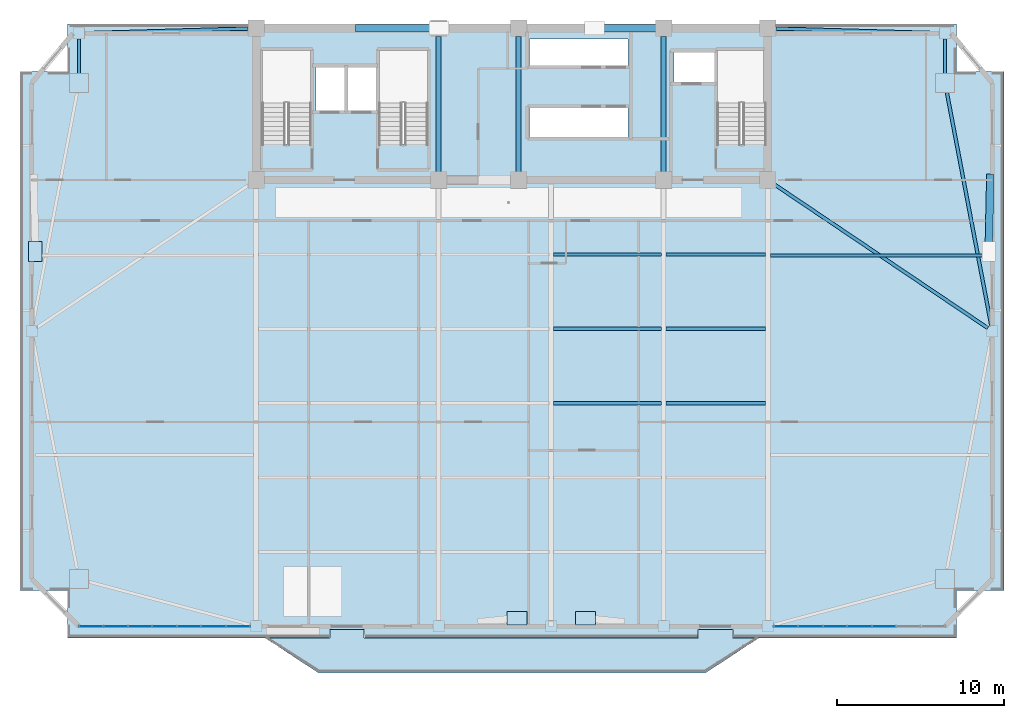
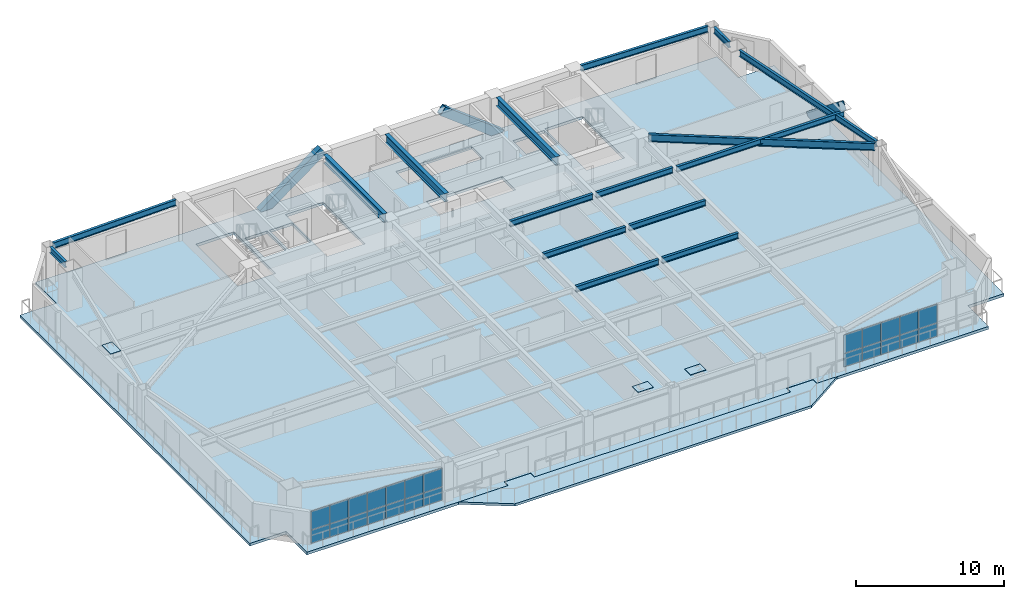
# One storey, part 7 of 17: 27 plates, 16 beams, 3 members, 2 slabs, 2 elements without a shape of their own.
"""IFC4 building model written with IfcOpenShell, lengths in metres."""

from ifc_helpers import new_model, si_unit, direction, frame, origin, origin_2d, place, context, subcontext, project, spatial, polyline, rectangle, hollow_rectangle, i_section, outline, extrude, source, transform, mapped, material, layer, layer_set, material_profile, profile_set, type_object, element, aggregate, save


model = new_model("IFC4")

# Units and contexts
model_context = context("Model", 3, precision=1e-05, world=origin(), true_north=direction((0.0, 1.0)))
body_context = subcontext(model_context, "Body", "Model", "MODEL_VIEW")
ifc_project = project(units=[si_unit("LENGTHUNIT", "METRE"), si_unit("AREAUNIT", "SQUARE_METRE"), si_unit("VOLUMEUNIT", "CUBIC_METRE"), si_unit("PLANEANGLEUNIT", "RADIAN"), si_unit("MASSUNIT", "GRAM", prefix="KILO")], contexts=[model_context])

# Site, building, storey
site_placement = place(None, origin())
site = spatial("IfcSite", under=ifc_project, at=site_placement, CompositionType="ELEMENT")
building_placement = place(site_placement, origin())
building = spatial("IfcBuilding", under=site, at=building_placement, Name="Giltprow Tower", CompositionType="ELEMENT")
storey_placement = place(building_placement, frame((0.0, 0.0, 195.699951171875)))
storey = spatial("IfcBuildingStorey", under=building, at=storey_placement, Name="L49", CompositionType="ELEMENT", Elevation=195.699951171875)

# Beams
ifc_material_1 = material(Name="Structural steel Q355B", Category="steel")
ifc_material_profile_1 = material_profile(ifc_material_1, i_section(OverallWidth=0.199951171875, OverallDepth=0.449951171875, WebThickness=0.009033203125, FlangeThickness=0.013916015625, at=origin_2d()), Name="HN 450x200x9x14")
ifc_profile_set_1 = profile_set([ifc_material_profile_1], Name="Structural steel Q355B")
beam_type_1 = type_object("IfcBeamType", Name="BM-JOIST-HN450", PredefinedType="JOIST", material=ifc_profile_set_1)
shared_shape_1 = source(origin(), body_context, "Body", "SweptSolid", [
    extrude(i_section(OverallWidth=0.199951171875, OverallDepth=0.449951171875, WebThickness=0.009033203125, FlangeThickness=0.013916015625, at=origin_2d()), origin(), (0.0, 0.0, 1.0), 6.4599609375),
])
for number, where, z_axis, x_axis, name in (
    (1, (37.695068359375, 24.06494140625, 3.045166015625), (1.0, 0.0, 0.0), (0.0, 1.0, 0.0), "L49 Composite Floor Joist 3-3"),
    (2, (37.695068359375, 28.527099609375, 3.045166015625), (1.0, 0.0, 0.0), (0.0, 1.0, 0.0), "L49 Composite Floor Joist 4-3"),
    (3, (37.695068359375, 32.988037109375, 3.045166015625), (1.0, 0.0, 0.0), (0.0, 1.0, 0.0), "L49 Composite Floor Joist 5-3"),
):
    element("IfcBeam", number, at=place(storey_placement, frame(where, z_axis=z_axis, x_axis=x_axis)), inside=storey, type_object=beam_type_1, Name=name, PredefinedType="JOIST", context=body_context, shape_type="MappedRepresentation", body=[
        mapped(shared_shape_1, transform((0.0, 0.0, 0.0), x_axis=(1.0, 0.0, 0.0), y_axis=(0.0, 1.0, 0.0), z_axis=(0.0, 0.0, 1.0), scale=1.0)),
    ])
shared_shape_2 = source(origin(), body_context, "Body", "SweptSolid", [
    extrude(i_section(OverallWidth=0.199951171875, OverallDepth=0.449951171875, WebThickness=0.009033203125, FlangeThickness=0.013916015625, at=origin_2d()), origin(), (0.0, 0.0, 1.0), 5.9599609375),
])
for number, where, z_axis, x_axis, name in (
    (4, (44.445068359375, 24.06494140625, 3.045166015625), (1.0, 0.0, 0.0), (0.0, 1.0, 0.0), "L49 Composite Floor Joist 3-4"),
    (5, (44.445068359375, 28.527099609375, 3.045166015625), (1.0, 0.0, 0.0), (0.0, 1.0, 0.0), "L49 Composite Floor Joist 4-4"),
    (6, (44.445068359375, 32.988037109375, 3.045166015625), (1.0, 0.0, 0.0), (0.0, 1.0, 0.0), "L49 Composite Floor Joist 5-4"),
):
    element("IfcBeam", number, at=place(storey_placement, frame(where, z_axis=z_axis, x_axis=x_axis)), inside=storey, type_object=beam_type_1, Name=name, PredefinedType="JOIST", context=body_context, shape_type="MappedRepresentation", body=[
        mapped(shared_shape_2, transform((0.0, 0.0, 0.0), x_axis=(1.0, 0.0, 0.0), y_axis=(0.0, 1.0, 0.0), z_axis=(0.0, 0.0, 1.0), scale=1.0)),
    ])
ifc_material_profile_2 = material_profile(ifc_material_1, i_section(OverallWidth=0.300048828125, OverallDepth=0.699951171875, WebThickness=0.012939453125, FlangeThickness=0.02392578125, at=origin_2d()), Name="HN 700x300x13x24")
ifc_profile_set_2 = profile_set([ifc_material_profile_2], Name="Structural steel Q355B")
beam_type_2 = type_object("IfcBeamType", Name="BM-GIRD-HN700", PredefinedType="BEAM", material=ifc_profile_set_2)
shared_shape_3 = source(origin(), body_context, "Body", "SweptSolid", [
    extrude(i_section(OverallWidth=0.300048828125, OverallDepth=0.699951171875, WebThickness=0.012939453125, FlangeThickness=0.02392578125, at=origin_2d()), origin(), (0.0, 0.0, 1.0), 8.1298828125),
])
for number, where, z_axis, x_axis, name in (
    (7, (30.800048828125, 37.93505859375, 2.920166015625), (0.0, 1.0, 0.0), (-1.0, 0.0, 0.0), "L49 Core Tie Girder M1"),
    (8, (35.60009765625, 37.93505859375, 2.920166015625), (0.0, 1.0, 0.0), (-1.0, 0.0, 0.0), "L49 Core Tie Girder M2"),
    (9, (44.300048828125, 37.93505859375, 2.920166015625), (0.0, 1.0, 0.0), (-1.0, 0.0, 0.0), "L49 Core Tie Girder M3"),
):
    element("IfcBeam", number, at=place(storey_placement, frame(where, z_axis=z_axis, x_axis=x_axis)), inside=storey, type_object=beam_type_2, Name=name, PredefinedType="BEAM", context=body_context, shape_type="MappedRepresentation", body=[
        mapped(shared_shape_3, transform((0.0, 0.0, 0.0), x_axis=(1.0, 0.0, 0.0), y_axis=(0.0, 1.0, 0.0), z_axis=(0.0, 0.0, 1.0), scale=1.0)),
    ])
ifc_material_profile_3 = material_profile(ifc_material_1, i_section(OverallWidth=0.199951171875, OverallDepth=0.5, WebThickness=0.010009765625, FlangeThickness=0.01611328125, at=origin_2d()), Name="HN 500x200x10x16")
ifc_profile_set_3 = profile_set([ifc_material_profile_3], Name="Structural steel Q355B")
beam_type_3 = type_object("IfcBeamType", Name="BM-SPAN-HN500", PredefinedType="SPANDREL", material=ifc_profile_set_3)
shared_shape_4 = source(origin(), body_context, "Body", "SweptSolid", [
    extrude(i_section(OverallWidth=0.199951171875, OverallDepth=0.5, WebThickness=0.010009765625, FlangeThickness=0.01611328125, at=origin_2d()), origin(), (0.0, 0.0, 1.0), 14.22216796875),
])
beam_1_placement = place(storey_placement, frame((63.948974609375, 28.718994140625, 3.02001953125), z_axis=(-0.187161802897, 0.982329099404, 0.0), x_axis=(-0.982329099404, -0.187161802897, 0.0)))
element("IfcBeam", 10, at=beam_1_placement, inside=storey, type_object=beam_type_3, Name="L49 Perimeter Spandrel Beam E_MID-MC_NE", PredefinedType="SPANDREL", context=body_context, shape_type="MappedRepresentation", body=[
    mapped(shared_shape_4, transform((0.0, 0.0, 0.0), x_axis=(1.0, 0.0, 0.0), y_axis=(0.0, 1.0, 0.0), z_axis=(0.0, 0.0, 1.0), scale=1.0)),
])
shared_shape_5 = source(origin(), body_context, "Body", "SweptSolid", [
    extrude(i_section(OverallWidth=0.199951171875, OverallDepth=0.5, WebThickness=0.010009765625, FlangeThickness=0.01611328125, at=origin_2d()), origin(), (0.0, 0.0, 1.0), 2.06494140625),
])
for number, where, z_axis, x_axis, name in (
    (11, (61.177001953125, 43.85009765625, 3.02001953125), (0.0, 1.0, 0.0), (-1.0, 0.0, 0.0), "L49 Perimeter Spandrel Beam MC_NE-N_E"),
    (12, (9.22412109375, 45.9150390625, 3.02001953125), (0.0, -1.0, 0.0), (1.0, 0.0, 0.0), "L49 Perimeter Spandrel Beam N_W-MC_NW"),
):
    element("IfcBeam", number, at=place(storey_placement, frame(where, z_axis=z_axis, x_axis=x_axis)), inside=storey, type_object=beam_type_3, Name=name, PredefinedType="SPANDREL", context=body_context, shape_type="MappedRepresentation", body=[
        mapped(shared_shape_5, transform((0.0, 0.0, 0.0), x_axis=(1.0, 0.0, 0.0), y_axis=(0.0, 1.0, 0.0), z_axis=(0.0, 0.0, 1.0), scale=1.0)),
    ])
shared_shape_6 = source(origin(), body_context, "Body", "SweptSolid", [
    extrude(i_section(OverallWidth=0.199951171875, OverallDepth=0.5, WebThickness=0.010009765625, FlangeThickness=0.01611328125, at=origin_2d()), origin(), (0.0, 0.0, 1.0), 9.809814453125),
])
beam_2_placement = place(storey_placement, frame((9.55908203125, 46.259033203125, 3.02001953125), z_axis=(0.999601671828, 0.028222290448, 0.0), x_axis=(-0.028222290448, 0.999601671828, 0.0)))
element("IfcBeam", 13, at=beam_2_placement, inside=storey, type_object=beam_type_3, Name="L49 North Wing Spandrel W", PredefinedType="SPANDREL", context=body_context, shape_type="MappedRepresentation", body=[
    mapped(shared_shape_6, transform((0.0, 0.0, 0.0), x_axis=(1.0, 0.0, 0.0), y_axis=(0.0, 1.0, 0.0), z_axis=(0.0, 0.0, 1.0), scale=1.0)),
])
shared_shape_7 = source(origin(), body_context, "Body", "SweptSolid", [
    extrude(i_section(OverallWidth=0.199951171875, OverallDepth=0.5, WebThickness=0.010009765625, FlangeThickness=0.01611328125, at=origin_2d()), origin(), (0.0, 0.0, 1.0), 9.81103515625),
])
beam_3_placement = place(storey_placement, frame((51.034912109375, 46.535888671875, 3.02001953125), z_axis=(0.999601770923, -0.028218780389, 0.0), x_axis=(0.028218780389, 0.999601770923, 0.0)))
element("IfcBeam", 14, at=beam_3_placement, inside=storey, type_object=beam_type_3, Name="L49 North Wing Spandrel E", PredefinedType="SPANDREL", context=body_context, shape_type="MappedRepresentation", body=[
    mapped(shared_shape_7, transform((0.0, 0.0, 0.0), x_axis=(1.0, 0.0, 0.0), y_axis=(0.0, 1.0, 0.0), z_axis=(0.0, 0.0, 1.0), scale=1.0)),
])
ifc_material_profile_4 = material_profile(ifc_material_1, i_section(OverallWidth=0.199951171875, OverallDepth=0.60009765625, WebThickness=0.010986328125, FlangeThickness=0.01708984375, at=origin_2d()), Name="HN 600x200x11x17")
ifc_profile_set_4 = profile_set([ifc_material_profile_4], Name="Structural steel Q355B")
beam_type_4 = type_object("IfcBeamType", Name="BM-GIRD-HN600", PredefinedType="BEAM", material=ifc_profile_set_4)
shared_shape_8 = source(origin(), body_context, "Body", "SweptSolid", [
    extrude(i_section(OverallWidth=0.199951171875, OverallDepth=0.60009765625, WebThickness=0.010986328125, FlangeThickness=0.01708984375, at=origin_2d()), origin(), (0.0, 0.0, 1.0), 15.406982421875),
])
beam_4_placement = place(storey_placement, frame((63.73388671875, 28.576904296875, 2.969970703125), z_axis=(-0.829624023781, 0.558322468798, 0.0), x_axis=(-0.558322468798, -0.829624023781, 0.0)))
element("IfcBeam", 15, at=beam_4_placement, inside=storey, type_object=beam_type_4, Name="L49 East Wing Primary Girder", PredefinedType="BEAM", context=body_context, shape_type="MappedRepresentation", body=[
    mapped(shared_shape_8, transform((0.0, 0.0, 0.0), x_axis=(1.0, 0.0, 0.0), y_axis=(0.0, 1.0, 0.0), z_axis=(0.0, 0.0, 1.0), scale=1.0)),
])
shared_shape_9 = source(origin(), body_context, "Body", "SweptSolid", [
    extrude(i_section(OverallWidth=0.199951171875, OverallDepth=0.449951171875, WebThickness=0.009033203125, FlangeThickness=0.013916015625, at=origin_2d()), origin(), (0.0, 0.0, 1.0), 13.096923828125),
])
beam_5_placement = place(storey_placement, frame((50.695068359375, 32.919921875, 3.045166015625), z_axis=(1.0, 0.0, 0.0), x_axis=(0.0, 1.0, 0.0)))
element("IfcBeam", 16, at=beam_5_placement, inside=storey, type_object=beam_type_1, Name="L49 East Wing Floor Joist 2", PredefinedType="JOIST", context=body_context, shape_type="MappedRepresentation", body=[
    mapped(shared_shape_9, transform((0.0, 0.0, 0.0), x_axis=(1.0, 0.0, 0.0), y_axis=(0.0, 1.0, 0.0), z_axis=(0.0, 0.0, 1.0), scale=1.0)),
])

# Members
ifc_material_2 = material(Name="Structural steel Q420GJC", Category="steel")
ifc_material_profile_5 = material_profile(ifc_material_2, hollow_rectangle(XDim=0.449951171875, YDim=0.699951171875, WallThickness=0.031982421875, at=origin_2d()), Name="RHS 700x450x32")
ifc_profile_set_5 = profile_set([ifc_material_profile_5], Name="Structural steel Q420GJC")
member_type = type_object("IfcMemberType", Name="MBR-MEGA-RHS700", PredefinedType="BRACE", material=ifc_profile_set_5)
shared_shape_10 = source(origin(), body_context, "Body", "SweptSolid", [
    extrude(hollow_rectangle(XDim=0.449951171875, YDim=0.699951171875, WallThickness=0.031982421875, at=origin_2d()), origin(), (0.0, 0.0, 1.0), 5.935546875),
])
member_1_placement = place(storey_placement, frame((26.012939453125, 46.550048828125, -0.139892578125), z_axis=(0.807653298864, 0.0, 0.589657653927), x_axis=(0.0, 1.0, 0.0)))
element("IfcMember", 17, at=member_1_placement, inside=storey, type_object=member_type, Name="L49 Chevron Mega-Brace N-L", PredefinedType="BRACE", context=body_context, shape_type="MappedRepresentation", body=[
    mapped(shared_shape_10, transform((0.0, 0.0, 0.0), x_axis=(1.0, 0.0, 0.0), y_axis=(0.0, 1.0, 0.0), z_axis=(0.0, 0.0, 1.0), scale=1.0)),
])
shared_shape_11 = source(origin(), body_context, "Body", "SweptSolid", [
    extrude(hollow_rectangle(XDim=0.449951171875, YDim=0.699951171875, WallThickness=0.031982421875, at=origin_2d()), origin(), (0.0, 0.0, 1.0), 5.740478515625),
])
member_2_placement = place(storey_placement, frame((44.699951171875, 46.550048828125, -0.139892578125), z_axis=(-0.792627151158, 0.0, 0.609706650158), x_axis=(0.0, -1.0, 0.0)))
element("IfcMember", 18, at=member_2_placement, inside=storey, type_object=member_type, Name="L49 Chevron Mega-Brace N-R", PredefinedType="BRACE", context=body_context, shape_type="MappedRepresentation", body=[
    mapped(shared_shape_11, transform((0.0, 0.0, 0.0), x_axis=(1.0, 0.0, 0.0), y_axis=(0.0, 1.0, 0.0), z_axis=(0.0, 0.0, 1.0), scale=1.0)),
])
shared_shape_12 = source(origin(), body_context, "Body", "SweptSolid", [
    extrude(hollow_rectangle(XDim=0.449951171875, YDim=0.699951171875, WallThickness=0.031982421875, at=origin_2d()), origin(), (0.0, 0.0, 1.0), 5.637939453125),
])
member_3_placement = place(storey_placement, frame((63.888916015625, 37.58203125, 0.0), z_axis=(-0.016845001362, -0.783790551793, 0.620796759696), x_axis=(0.999769133116, -0.021486750982, 0.0)))
element("IfcMember", 19, at=member_3_placement, inside=storey, type_object=member_type, Name="L49 Chevron Mega-Brace E-R", PredefinedType="BRACE", context=body_context, shape_type="MappedRepresentation", body=[
    mapped(shared_shape_12, transform((0.0, 0.0, 0.0), x_axis=(1.0, 0.0, 0.0), y_axis=(0.0, 1.0, 0.0), z_axis=(0.0, 0.0, 1.0), scale=1.0)),
])

# Slabs
ifc_material_3 = material(Name="Concrete C40", Category="concrete")
ifc_layer_1 = layer(ifc_material_3, 0.199951171875, Name="Concrete C40")
ifc_layer_set_1 = layer_set([ifc_layer_1], Name="Concrete C40")
slab_type_1 = type_object("IfcSlabType", Name="SLB-BALC-BRONZE-200", PredefinedType="FLOOR", material=ifc_layer_set_1)
slab_1_placement = place(storey_placement, frame((0.0, 0.0, -0.199951171875)))
element("IfcSlab", 20, at=slab_1_placement, inside=storey, type_object=slab_type_1, Name="L49 Bronze Prow Waterfront Balcony Slab", PredefinedType="FLOOR", context=body_context, shape_type="SweptSolid", body=[
    extrude(outline(polyline([(50.0, 9.97998046875), (46.800048828125, 7.8798828125), (23.60009765625, 7.8798828125), (20.39990234375, 9.97998046875), (24.280029296875, 9.97998046875), (24.280029296875, 10.47998046875), (26.320068359375, 10.47998046875), (26.320068359375, 9.97998046875), (46.3798828125, 9.97998046875), (46.3798828125, 10.47998046875), (48.419921875, 10.47998046875), (48.419921875, 9.97998046875), (50.0, 9.97998046875)])), origin(), (0.0, 0.0, 1.0), 0.199951171875),
])
ifc_layer_2 = layer(ifc_material_3, 0.22998046875, Name="Concrete C40")
ifc_layer_set_2 = layer_set([ifc_layer_2], Name="Concrete C40")
slab_type_2 = type_object("IfcSlabType", Name="SLB-HTL-230", PredefinedType="FLOOR", material=ifc_layer_set_2)
slab_2_placement = place(storey_placement, frame((0.0, 0.0, -0.22998046875)))
element("IfcSlab", 21, at=slab_2_placement, inside=storey, type_object=slab_type_2, Name="L49 Structural Composite Floor Slab", PredefinedType="FLOOR", context=body_context, shape_type="SweptSolid", body=[
    extrude(outline(polyline([(8.52392578125, 9.97998046875), (8.52392578125, 12.81591796875), (5.68896484375, 12.81591796875), (5.68896484375, 43.965087890625), (8.52392578125, 43.965087890625), (8.52392578125, 46.800048828125), (61.876953125, 46.800048828125), (61.876953125, 43.965087890625), (64.7119140625, 43.965087890625), (64.7119140625, 12.81591796875), (61.876953125, 12.81591796875), (61.876953125, 9.97998046875), (48.449951171875, 9.97998046875), (48.449951171875, 10.5), (46.35009765625, 10.5), (46.35009765625, 9.97998046875), (26.35009765625, 9.97998046875), (26.35009765625, 10.5), (24.25, 10.5), (24.25, 9.97998046875), (8.52392578125, 9.97998046875)]), holes=[polyline([(42.169921875, 41.800048828125), (36.239990234375, 41.800048828125), (36.239990234375, 40.0), (42.169921875, 40.0), (42.169921875, 41.800048828125)]), polyline([(23.159912109375, 39.570068359375), (23.159912109375, 45.25), (20.199951171875, 45.25), (20.199951171875, 39.570068359375), (23.159912109375, 39.570068359375)]), polyline([(30.159912109375, 39.570068359375), (30.159912109375, 45.25), (27.199951171875, 45.25), (27.199951171875, 39.570068359375), (30.159912109375, 39.570068359375)]), polyline([(50.4599609375, 45.25), (47.5, 45.25), (47.5, 39.570068359375), (50.4599609375, 39.570068359375), (50.4599609375, 45.25)]), polyline([(25.169921875, 44.199951171875), (23.449951171875, 44.199951171875), (23.449951171875, 41.60009765625), (25.169921875, 41.60009765625), (25.169921875, 44.199951171875)]), polyline([(27.10009765625, 44.199951171875), (25.35009765625, 44.199951171875), (25.35009765625, 41.60009765625), (27.10009765625, 41.60009765625), (27.10009765625, 44.199951171875)]), polyline([(47.3798828125, 43.300048828125), (47.3798828125, 45.10009765625), (44.919921875, 45.10009765625), (44.919921875, 43.300048828125), (47.3798828125, 43.300048828125)]), polyline([(42.169921875, 44.300048828125), (42.169921875, 45.919921875), (36.239990234375, 45.919921875), (36.239990234375, 44.300048828125), (42.169921875, 44.300048828125)])]), origin(), (0.0, 0.0, 1.0), 0.22998046875),
])

# Plates
plate_type_1 = type_object("IfcPlateType", Name="PLT-CAP-SEAL", PredefinedType="USERDEFINED", material=ifc_material_2)
shared_shape_13 = source(origin(), body_context, "Body", "SweptSolid", [
    extrude(rectangle(XDim=1.199951171875, YDim=0.800048828125, at=origin_2d()), origin(), (0.0, 0.0, 1.0), 0.034912109375),
])
for number, where, z_axis, x_axis, name in (
    (22, (35.49609375, 11.1708984375, 3.482421875), (0.0, 0.0, 1.0), (1.0, 0.0, 0.0), "Mega-Brace Node L49-S-LB"),
    (23, (39.60400390625, 11.1708984375, 3.482421875), (0.0, 0.0, 1.0), (1.0, 0.0, 0.0), "Mega-Brace Node L49-S-RB"),
    (24, (6.60693359375, 33.1630859375, 3.482421875), (0.0, 0.0, 1.0), (0.0, 1.0, 0.0), "Mega-Brace Node L49-W-RB"),
):
    element("IfcPlate", number, at=place(storey_placement, frame(where, z_axis=z_axis, x_axis=x_axis)), inside=storey, type_object=plate_type_1, Name=name, ObjectType="SPLICE", PredefinedType="USERDEFINED", context=body_context, shape_type="MappedRepresentation", body=[
        mapped(shared_shape_13, transform((0.0, 0.0, 0.0), x_axis=(1.0, 0.0, 0.0), y_axis=(0.0, 1.0, 0.0), z_axis=(0.0, 0.0, 1.0), scale=1.0)),
    ])

# Curtain wall, plates
ifc_material_4 = material(Name="Anodized bronze", Category="metal")
ifc_layer_3 = layer(ifc_material_4, 0.179931640625, Name="Anodized bronze")
ifc_layer_set_3 = layer_set([ifc_layer_3], Name="Anodized bronze")
curtain_wall_type = type_object("IfcCurtainWallType", Name="CW-HTL-BRONZE", PredefinedType="NOTDEFINED", material=ifc_layer_set_3)
curtain_wall_1_placement = place(storey_placement, origin())
curtain_wall_1 = element("IfcCurtainWall", 25, at=curtain_wall_1_placement, inside=storey, type_object=curtain_wall_type, Name="L49 South Recessed Curtain Wall 1", PredefinedType="NOTDEFINED")
ifc_material_5 = material(Name="Insulated glass", Category="glass")
plate_type_2 = type_object("IfcPlateType", Name="CW-PANEL-IGU-28", PredefinedType="CURTAIN_PANEL", material=ifc_material_5)
shared_shape_14 = source(origin(), body_context, "Body", "SweptSolid", [
    extrude(rectangle(XDim=1.43798828125, YDim=0.028076171875, at=origin_2d()), origin(), (0.0, 0.0, 1.0), 1.0869140625),
])
plate_1_placement = place(storey_placement, frame((9.9580078125, 10.679931640625, 0.0546875), z_axis=(0.0, 0.0, 1.0), x_axis=(1.0, 0.0, 0.0)))
plate_1 = element("IfcPlate", 26, at=plate_1_placement, type_object=plate_type_2, Name="L49 South Recessed Curtain Wall 1 Glazing Panel 1-1", PredefinedType="CURTAIN_PANEL", context=body_context, shape_type="MappedRepresentation", body=[
    mapped(shared_shape_14, transform((0.0, 0.0, 0.0), x_axis=(1.0, 0.0, 0.0), y_axis=(0.0, 1.0, 0.0), z_axis=(0.0, 0.0, 1.0), scale=1.0)),
])
plate_2_placement = place(storey_placement, frame((11.426025390625, 10.679931640625, 0.0546875), z_axis=(0.0, 0.0, 1.0), x_axis=(1.0, 0.0, 0.0)))
plate_2 = element("IfcPlate", 27, at=plate_2_placement, type_object=plate_type_2, Name="L49 South Recessed Curtain Wall 1 Glazing Panel 2-1", PredefinedType="CURTAIN_PANEL", context=body_context, shape_type="MappedRepresentation", body=[
    mapped(shared_shape_14, transform((0.0, 0.0, 0.0), x_axis=(1.0, 0.0, 0.0), y_axis=(0.0, 1.0, 0.0), z_axis=(0.0, 0.0, 1.0), scale=1.0)),
])
plate_3_placement = place(storey_placement, frame((12.89404296875, 10.679931640625, 0.0546875), z_axis=(0.0, 0.0, 1.0), x_axis=(1.0, 0.0, 0.0)))
plate_3 = element("IfcPlate", 28, at=plate_3_placement, type_object=plate_type_2, Name="L49 South Recessed Curtain Wall 1 Glazing Panel 3-1", PredefinedType="CURTAIN_PANEL", context=body_context, shape_type="MappedRepresentation", body=[
    mapped(shared_shape_14, transform((0.0, 0.0, 0.0), x_axis=(1.0, 0.0, 0.0), y_axis=(0.0, 1.0, 0.0), z_axis=(0.0, 0.0, 1.0), scale=1.0)),
])
plate_4_placement = place(storey_placement, frame((14.362060546875, 10.679931640625, 0.0546875), z_axis=(0.0, 0.0, 1.0), x_axis=(1.0, 0.0, 0.0)))
plate_4 = element("IfcPlate", 29, at=plate_4_placement, type_object=plate_type_2, Name="L49 South Recessed Curtain Wall 1 Glazing Panel 4-1", PredefinedType="CURTAIN_PANEL", context=body_context, shape_type="MappedRepresentation", body=[
    mapped(shared_shape_14, transform((0.0, 0.0, 0.0), x_axis=(1.0, 0.0, 0.0), y_axis=(0.0, 1.0, 0.0), z_axis=(0.0, 0.0, 1.0), scale=1.0)),
])
plate_5_placement = place(storey_placement, frame((15.830078125, 10.679931640625, 0.0546875), z_axis=(0.0, 0.0, 1.0), x_axis=(1.0, 0.0, 0.0)))
plate_5 = element("IfcPlate", 30, at=plate_5_placement, type_object=plate_type_2, Name="L49 South Recessed Curtain Wall 1 Glazing Panel 5-1", PredefinedType="CURTAIN_PANEL", context=body_context, shape_type="MappedRepresentation", body=[
    mapped(shared_shape_14, transform((0.0, 0.0, 0.0), x_axis=(1.0, 0.0, 0.0), y_axis=(0.0, 1.0, 0.0), z_axis=(0.0, 0.0, 1.0), scale=1.0)),
])
plate_6_placement = place(storey_placement, frame((17.298095703125, 10.679931640625, 0.0546875), z_axis=(0.0, 0.0, 1.0), x_axis=(1.0, 0.0, 0.0)))
plate_6 = element("IfcPlate", 31, at=plate_6_placement, type_object=plate_type_2, Name="L49 South Recessed Curtain Wall 1 Glazing Panel 6-1", PredefinedType="CURTAIN_PANEL", context=body_context, shape_type="MappedRepresentation", body=[
    mapped(shared_shape_14, transform((0.0, 0.0, 0.0), x_axis=(1.0, 0.0, 0.0), y_axis=(0.0, 1.0, 0.0), z_axis=(0.0, 0.0, 1.0), scale=1.0)),
])
plate_7_placement = place(storey_placement, frame((18.76611328125, 10.679931640625, 0.0546875), z_axis=(0.0, 0.0, 1.0), x_axis=(1.0, 0.0, 0.0)))
plate_7 = element("IfcPlate", 32, at=plate_7_placement, type_object=plate_type_2, Name="L49 South Recessed Curtain Wall 1 Glazing Panel 7-1", PredefinedType="CURTAIN_PANEL", context=body_context, shape_type="MappedRepresentation", body=[
    mapped(shared_shape_14, transform((0.0, 0.0, 0.0), x_axis=(1.0, 0.0, 0.0), y_axis=(0.0, 1.0, 0.0), z_axis=(0.0, 0.0, 1.0), scale=1.0)),
])

curtain_wall_2_placement = place(storey_placement, origin())
curtain_wall_2 = element("IfcCurtainWall", 33, at=curtain_wall_2_placement, inside=storey, type_object=curtain_wall_type, Name="L49 South Recessed Curtain Wall 6", PredefinedType="NOTDEFINED")
plate_8_placement = place(storey_placement, frame((51.634033203125, 10.679931640625, 0.0546875), z_axis=(0.0, 0.0, 1.0), x_axis=(1.0, 0.0, 0.0)))
plate_8 = element("IfcPlate", 34, at=plate_8_placement, type_object=plate_type_2, Name="L49 South Recessed Curtain Wall 6 Glazing Panel 1-1", PredefinedType="CURTAIN_PANEL", context=body_context, shape_type="MappedRepresentation", body=[
    mapped(shared_shape_14, transform((0.0, 0.0, 0.0), x_axis=(1.0, 0.0, 0.0), y_axis=(0.0, 1.0, 0.0), z_axis=(0.0, 0.0, 1.0), scale=1.0)),
])
plate_9_placement = place(storey_placement, frame((53.10205078125, 10.679931640625, 0.0546875), z_axis=(0.0, 0.0, 1.0), x_axis=(1.0, 0.0, 0.0)))
plate_9 = element("IfcPlate", 35, at=plate_9_placement, type_object=plate_type_2, Name="L49 South Recessed Curtain Wall 6 Glazing Panel 2-1", PredefinedType="CURTAIN_PANEL", context=body_context, shape_type="MappedRepresentation", body=[
    mapped(shared_shape_14, transform((0.0, 0.0, 0.0), x_axis=(1.0, 0.0, 0.0), y_axis=(0.0, 1.0, 0.0), z_axis=(0.0, 0.0, 1.0), scale=1.0)),
])
plate_10_placement = place(storey_placement, frame((54.570068359375, 10.679931640625, 0.0546875), z_axis=(0.0, 0.0, 1.0), x_axis=(1.0, 0.0, 0.0)))
plate_10 = element("IfcPlate", 36, at=plate_10_placement, type_object=plate_type_2, Name="L49 South Recessed Curtain Wall 6 Glazing Panel 3-1", PredefinedType="CURTAIN_PANEL", context=body_context, shape_type="MappedRepresentation", body=[
    mapped(shared_shape_14, transform((0.0, 0.0, 0.0), x_axis=(1.0, 0.0, 0.0), y_axis=(0.0, 1.0, 0.0), z_axis=(0.0, 0.0, 1.0), scale=1.0)),
])
plate_11_placement = place(storey_placement, frame((56.0380859375, 10.679931640625, 0.0546875), z_axis=(0.0, 0.0, 1.0), x_axis=(1.0, 0.0, 0.0)))
plate_11 = element("IfcPlate", 37, at=plate_11_placement, type_object=plate_type_2, Name="L49 South Recessed Curtain Wall 6 Glazing Panel 4-1", PredefinedType="CURTAIN_PANEL", context=body_context, shape_type="MappedRepresentation", body=[
    mapped(shared_shape_14, transform((0.0, 0.0, 0.0), x_axis=(1.0, 0.0, 0.0), y_axis=(0.0, 1.0, 0.0), z_axis=(0.0, 0.0, 1.0), scale=1.0)),
])
plate_12_placement = place(storey_placement, frame((57.507080078125, 10.679931640625, 0.0546875), z_axis=(0.0, 0.0, 1.0), x_axis=(1.0, 0.0, 0.0)))
plate_12 = element("IfcPlate", 38, at=plate_12_placement, type_object=plate_type_2, Name="L49 South Recessed Curtain Wall 6 Glazing Panel 5-1", PredefinedType="CURTAIN_PANEL", context=body_context, shape_type="MappedRepresentation", body=[
    mapped(shared_shape_14, transform((0.0, 0.0, 0.0), x_axis=(1.0, 0.0, 0.0), y_axis=(0.0, 1.0, 0.0), z_axis=(0.0, 0.0, 1.0), scale=1.0)),
])

# Plate
shared_shape_15 = source(origin(), body_context, "Body", "SweptSolid", [
    extrude(rectangle(XDim=1.43798828125, YDim=0.028076171875, at=origin_2d()), origin(), (0.0, 0.0, 1.0), 1.527099609375),
])
plate_13_placement = place(storey_placement, frame((9.9580078125, 10.679931640625, 1.16845703125), z_axis=(0.0, 0.0, 1.0), x_axis=(1.0, 0.0, 0.0)))
plate_13 = element("IfcPlate", 39, at=plate_13_placement, type_object=plate_type_2, Name="L49 South Recessed Curtain Wall 1 Glazing Panel 1-2", PredefinedType="CURTAIN_PANEL", context=body_context, shape_type="MappedRepresentation", body=[
    mapped(shared_shape_15, transform((0.0, 0.0, 0.0), x_axis=(1.0, 0.0, 0.0), y_axis=(0.0, 1.0, 0.0), z_axis=(0.0, 0.0, 1.0), scale=1.0)),
])

plate_14_placement = place(storey_placement, frame((11.426025390625, 10.679931640625, 1.16845703125), z_axis=(0.0, 0.0, 1.0), x_axis=(1.0, 0.0, 0.0)))
plate_14 = element("IfcPlate", 40, at=plate_14_placement, type_object=plate_type_2, Name="L49 South Recessed Curtain Wall 1 Glazing Panel 2-2", PredefinedType="CURTAIN_PANEL", context=body_context, shape_type="MappedRepresentation", body=[
    mapped(shared_shape_15, transform((0.0, 0.0, 0.0), x_axis=(1.0, 0.0, 0.0), y_axis=(0.0, 1.0, 0.0), z_axis=(0.0, 0.0, 1.0), scale=1.0)),
])

plate_15_placement = place(storey_placement, frame((12.89404296875, 10.679931640625, 1.16845703125), z_axis=(0.0, 0.0, 1.0), x_axis=(1.0, 0.0, 0.0)))
plate_15 = element("IfcPlate", 41, at=plate_15_placement, type_object=plate_type_2, Name="L49 South Recessed Curtain Wall 1 Glazing Panel 3-2", PredefinedType="CURTAIN_PANEL", context=body_context, shape_type="MappedRepresentation", body=[
    mapped(shared_shape_15, transform((0.0, 0.0, 0.0), x_axis=(1.0, 0.0, 0.0), y_axis=(0.0, 1.0, 0.0), z_axis=(0.0, 0.0, 1.0), scale=1.0)),
])

plate_16_placement = place(storey_placement, frame((14.362060546875, 10.679931640625, 1.16845703125), z_axis=(0.0, 0.0, 1.0), x_axis=(1.0, 0.0, 0.0)))
plate_16 = element("IfcPlate", 42, at=plate_16_placement, type_object=plate_type_2, Name="L49 South Recessed Curtain Wall 1 Glazing Panel 4-2", PredefinedType="CURTAIN_PANEL", context=body_context, shape_type="MappedRepresentation", body=[
    mapped(shared_shape_15, transform((0.0, 0.0, 0.0), x_axis=(1.0, 0.0, 0.0), y_axis=(0.0, 1.0, 0.0), z_axis=(0.0, 0.0, 1.0), scale=1.0)),
])

plate_17_placement = place(storey_placement, frame((15.830078125, 10.679931640625, 1.16845703125), z_axis=(0.0, 0.0, 1.0), x_axis=(1.0, 0.0, 0.0)))
plate_17 = element("IfcPlate", 43, at=plate_17_placement, type_object=plate_type_2, Name="L49 South Recessed Curtain Wall 1 Glazing Panel 5-2", PredefinedType="CURTAIN_PANEL", context=body_context, shape_type="MappedRepresentation", body=[
    mapped(shared_shape_15, transform((0.0, 0.0, 0.0), x_axis=(1.0, 0.0, 0.0), y_axis=(0.0, 1.0, 0.0), z_axis=(0.0, 0.0, 1.0), scale=1.0)),
])

plate_18_placement = place(storey_placement, frame((17.298095703125, 10.679931640625, 1.16845703125), z_axis=(0.0, 0.0, 1.0), x_axis=(1.0, 0.0, 0.0)))
plate_18 = element("IfcPlate", 44, at=plate_18_placement, type_object=plate_type_2, Name="L49 South Recessed Curtain Wall 1 Glazing Panel 6-2", PredefinedType="CURTAIN_PANEL", context=body_context, shape_type="MappedRepresentation", body=[
    mapped(shared_shape_15, transform((0.0, 0.0, 0.0), x_axis=(1.0, 0.0, 0.0), y_axis=(0.0, 1.0, 0.0), z_axis=(0.0, 0.0, 1.0), scale=1.0)),
])

plate_19_placement = place(storey_placement, frame((18.76611328125, 10.679931640625, 1.16845703125), z_axis=(0.0, 0.0, 1.0), x_axis=(1.0, 0.0, 0.0)))
plate_19 = element("IfcPlate", 45, at=plate_19_placement, type_object=plate_type_2, Name="L49 South Recessed Curtain Wall 1 Glazing Panel 7-2", PredefinedType="CURTAIN_PANEL", context=body_context, shape_type="MappedRepresentation", body=[
    mapped(shared_shape_15, transform((0.0, 0.0, 0.0), x_axis=(1.0, 0.0, 0.0), y_axis=(0.0, 1.0, 0.0), z_axis=(0.0, 0.0, 1.0), scale=1.0)),
])

aggregate(curtain_wall_1, [plate_1, plate_13, plate_2, plate_14, plate_3, plate_15, plate_4, plate_16, plate_5, plate_17, plate_6, plate_18, plate_7, plate_19])

plate_20_placement = place(storey_placement, frame((51.634033203125, 10.679931640625, 1.16845703125), z_axis=(0.0, 0.0, 1.0), x_axis=(1.0, 0.0, 0.0)))
plate_20 = element("IfcPlate", 46, at=plate_20_placement, type_object=plate_type_2, Name="L49 South Recessed Curtain Wall 6 Glazing Panel 1-2", PredefinedType="CURTAIN_PANEL", context=body_context, shape_type="MappedRepresentation", body=[
    mapped(shared_shape_15, transform((0.0, 0.0, 0.0), x_axis=(1.0, 0.0, 0.0), y_axis=(0.0, 1.0, 0.0), z_axis=(0.0, 0.0, 1.0), scale=1.0)),
])

plate_21_placement = place(storey_placement, frame((53.10205078125, 10.679931640625, 1.16845703125), z_axis=(0.0, 0.0, 1.0), x_axis=(1.0, 0.0, 0.0)))
plate_21 = element("IfcPlate", 47, at=plate_21_placement, type_object=plate_type_2, Name="L49 South Recessed Curtain Wall 6 Glazing Panel 2-2", PredefinedType="CURTAIN_PANEL", context=body_context, shape_type="MappedRepresentation", body=[
    mapped(shared_shape_15, transform((0.0, 0.0, 0.0), x_axis=(1.0, 0.0, 0.0), y_axis=(0.0, 1.0, 0.0), z_axis=(0.0, 0.0, 1.0), scale=1.0)),
])

plate_22_placement = place(storey_placement, frame((54.570068359375, 10.679931640625, 1.16845703125), z_axis=(0.0, 0.0, 1.0), x_axis=(1.0, 0.0, 0.0)))
plate_22 = element("IfcPlate", 48, at=plate_22_placement, type_object=plate_type_2, Name="L49 South Recessed Curtain Wall 6 Glazing Panel 3-2", PredefinedType="CURTAIN_PANEL", context=body_context, shape_type="MappedRepresentation", body=[
    mapped(shared_shape_15, transform((0.0, 0.0, 0.0), x_axis=(1.0, 0.0, 0.0), y_axis=(0.0, 1.0, 0.0), z_axis=(0.0, 0.0, 1.0), scale=1.0)),
])

plate_23_placement = place(storey_placement, frame((56.0380859375, 10.679931640625, 1.16845703125), z_axis=(0.0, 0.0, 1.0), x_axis=(1.0, 0.0, 0.0)))
plate_23 = element("IfcPlate", 49, at=plate_23_placement, type_object=plate_type_2, Name="L49 South Recessed Curtain Wall 6 Glazing Panel 4-2", PredefinedType="CURTAIN_PANEL", context=body_context, shape_type="MappedRepresentation", body=[
    mapped(shared_shape_15, transform((0.0, 0.0, 0.0), x_axis=(1.0, 0.0, 0.0), y_axis=(0.0, 1.0, 0.0), z_axis=(0.0, 0.0, 1.0), scale=1.0)),
])

plate_24_placement = place(storey_placement, frame((57.507080078125, 10.679931640625, 1.16845703125), z_axis=(0.0, 0.0, 1.0), x_axis=(1.0, 0.0, 0.0)))
plate_24 = element("IfcPlate", 50, at=plate_24_placement, type_object=plate_type_2, Name="L49 South Recessed Curtain Wall 6 Glazing Panel 5-2", PredefinedType="CURTAIN_PANEL", context=body_context, shape_type="MappedRepresentation", body=[
    mapped(shared_shape_15, transform((0.0, 0.0, 0.0), x_axis=(1.0, 0.0, 0.0), y_axis=(0.0, 1.0, 0.0), z_axis=(0.0, 0.0, 1.0), scale=1.0)),
])

aggregate(curtain_wall_2, [plate_8, plate_20, plate_9, plate_21, plate_10, plate_22, plate_11, plate_23, plate_12, plate_24])

save(model, "model.ifc")
